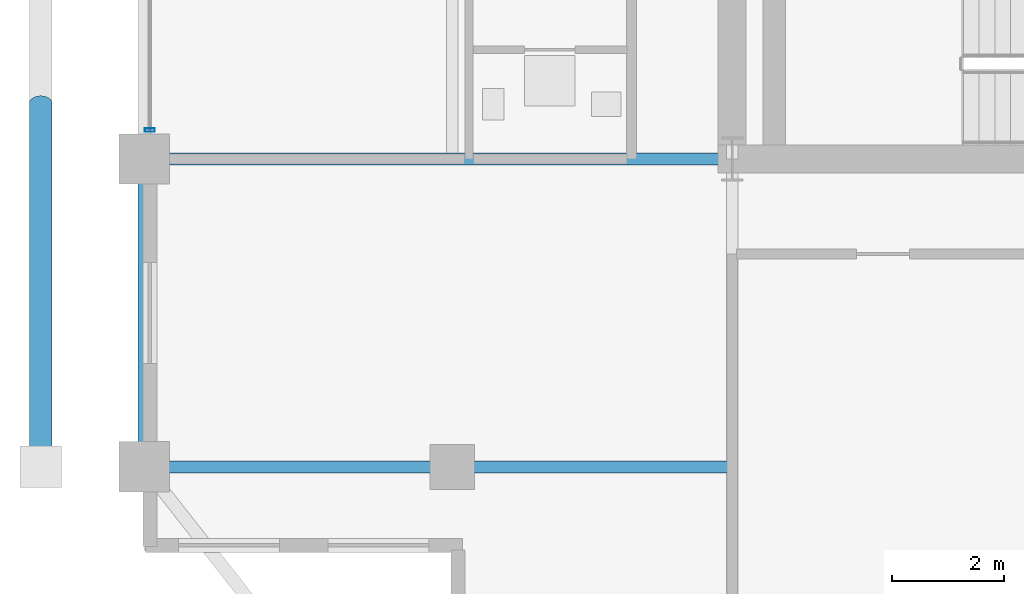
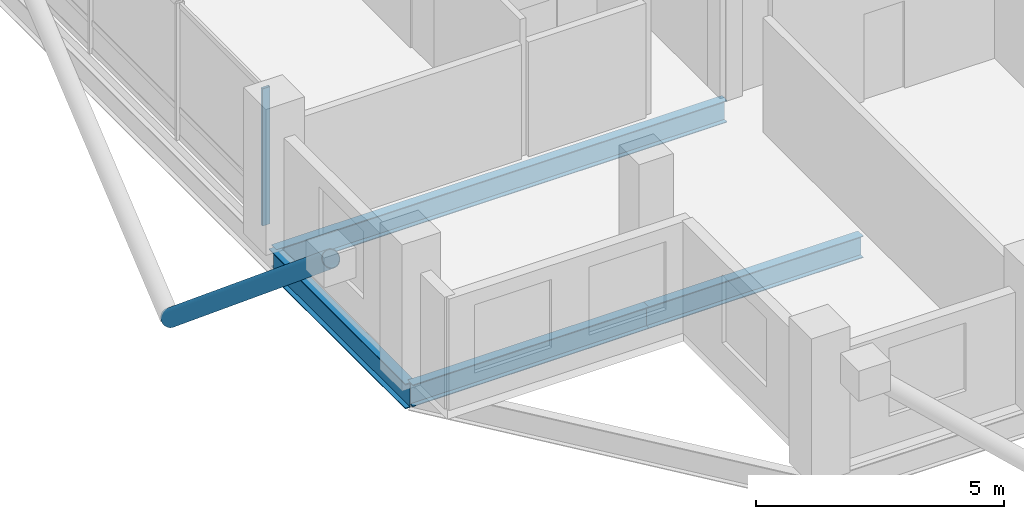
# One storey, part 3 of 23: 4 beams, 2 members, 1 element without a shape of its own.
"""IFC4 building model written with IfcOpenShell, lengths in metres."""

import ifcopenshell
import ifcopenshell.guid

model = None  # the IFC model being written
_history = None  # IfcOwnerHistory: only IFC2X3 demands one
_inside = {}  # id of a spatial element -> (the spatial element, [elements in it])
_under = {}  # id of a project, library or spatial element -> (it, [spatial elements below it])
_declared = {}  # id of a project -> (the project, [libraries it declares])
_typed = {}  # id of a type object -> (the type object, [elements of that type])
_made_of = {}  # id of a material, layer set ... -> (it, [elements and type objects made of it])


def new_model(schema):
    """Start an empty IFC model of exactly this schema.

    Asked for "IFC4X3", IfcOpenShell would pick the latest addendum, in which some entities
    have other attributes; the version numbers below select the first issue.
    IFC2X3 requires an IfcOwnerHistory on every rooted entity: one is made here for all.
    """
    global model, _history
    if schema == "IFC4X3":
        model = ifcopenshell.file(schema_version=(4, 3, 0, 0))
    else:
        model = ifcopenshell.file(schema=schema)
    _inside.clear()
    _under.clear()
    _declared.clear()
    _typed.clear()
    _made_of.clear()
    _history = None
    if model.schema == "IFC2X3":
        org = make("IfcOrganization", Name="unknown")
        user = make(
            "IfcPersonAndOrganization",
            ThePerson=make("IfcPerson", FamilyName="unknown"),
            TheOrganization=org,
        )
        app = make(
            "IfcApplication",
            ApplicationDeveloper=org,
            Version="unknown",
            ApplicationFullName="unknown",
            ApplicationIdentifier="unknown",
        )
        _history = make(
            "IfcOwnerHistory",
            OwningUser=user,
            OwningApplication=app,
            ChangeAction="ADDED",
            CreationDate=0,
        )
    return model


def make(cls, **values):
    """One entity of the class cls with the attributes given. An attribute that is None is left unset."""
    return model.create_entity(
        cls, **{name: value for name, value in values.items() if value is not None}
    )


def rooted(cls, **values):
    """An entity with a GlobalId (a new one), such as an element, a storey or a relation."""
    return make(cls, GlobalId=ifcopenshell.guid.new(), OwnerHistory=_history, **values)


def si_unit(unit_type, name, prefix=None):
    """IfcSIUnit, for example si_unit("LENGTHUNIT", "METRE", prefix="MILLI")."""
    return make("IfcSIUnit", UnitType=unit_type, Prefix=prefix, Name=name)


def assignment(units):
    """IfcUnitAssignment: the units of a project."""
    return None if units is None else make("IfcUnitAssignment", Units=units)


def point(xyz):
    """IfcCartesianPoint."""
    return None if xyz is None else make("IfcCartesianPoint", Coordinates=xyz)


def direction(xyz):
    """IfcDirection."""
    return None if xyz is None else make("IfcDirection", DirectionRatios=xyz)


def frame(location, z_axis=None, x_axis=None):
    """IfcAxis2Placement3D, a coordinate frame: its origin and axes. An axis left out is left unset."""
    return make(
        "IfcAxis2Placement3D",
        Location=point(location),
        Axis=direction(z_axis),
        RefDirection=direction(x_axis),
    )


def frame_2d(location, x_axis=None):
    """IfcAxis2Placement2D, a coordinate frame in the plane: its origin and x axis."""
    return make(
        "IfcAxis2Placement2D", Location=point(location), RefDirection=direction(x_axis)
    )


def origin():
    """The frame at (0, 0, 0) with its axes left unset."""
    return frame((0.0, 0.0, 0.0))


def origin_2d():
    """The frame at (0, 0) in the plane with its x axis left unset."""
    return frame_2d((0.0, 0.0))


def place(relative_to, where):
    """IfcLocalPlacement: puts the frame where relative to a parent placement (None: the world)."""
    return make(
        "IfcLocalPlacement", PlacementRelTo=relative_to, RelativePlacement=where
    )


def context(
    kind, dimensions, precision=None, world=None, true_north=None, identifier=None
):
    """IfcGeometricRepresentationContext, for example the 3D "Model" context."""
    return make(
        "IfcGeometricRepresentationContext",
        ContextIdentifier=identifier,
        ContextType=kind,
        CoordinateSpaceDimension=dimensions,
        Precision=precision,
        WorldCoordinateSystem=world,
        TrueNorth=true_north,
    )


def subcontext(parent, identifier, kind, view, scale=None):
    """IfcGeometricRepresentationSubContext, for example "Body" below "Model"."""
    return make(
        "IfcGeometricRepresentationSubContext",
        ContextIdentifier=identifier,
        ContextType=kind,
        ParentContext=parent,
        TargetScale=scale,
        TargetView=view,
    )


def project(units=None, contexts=None):
    """IfcProject with its units and contexts."""
    return rooted(
        "IfcProject",
        Name="project",
        RepresentationContexts=contexts,
        UnitsInContext=assignment(units),
    )


def spatial(cls, under=None, at=None, **own):
    """A site, building, storey or space (cls), placed at a placement, below another one or the project."""
    s = rooted(cls, ObjectPlacement=at, **own)
    if under is not None:
        _under.setdefault(under.id(), (under, []))[1].append(s)
    return s


def profile(cls, at=None, kind="AREA", **sizes):
    """A parametric profile (cls). Its sizes go by their IFC names, for example OverallWidth=200.0."""
    return make(cls, ProfileType=kind, Position=at, **sizes)


def hollow_rectangle(**sizes):
    """IfcRectangleHollowProfileDef."""
    return profile("IfcRectangleHollowProfileDef", **sizes)


def hollow_circle(**sizes):
    """IfcCircleHollowProfileDef."""
    return profile("IfcCircleHollowProfileDef", **sizes)


def i_section(**sizes):
    """IfcIShapeProfileDef."""
    return profile("IfcIShapeProfileDef", **sizes)


def extrude(swept, where, along, depth):
    """IfcExtrudedAreaSolid: the profile swept, set in the frame where, extruded along a direction by depth."""
    return make(
        "IfcExtrudedAreaSolid",
        SweptArea=swept,
        Position=where,
        ExtrudedDirection=direction(along),
        Depth=depth,
    )


def shape(context_of_items, identifier, shape_type, items):
    """IfcShapeRepresentation: the items that make up one representation, for example the "Body"."""
    return make(
        "IfcShapeRepresentation",
        ContextOfItems=context_of_items,
        RepresentationIdentifier=identifier,
        RepresentationType=shape_type,
        Items=items,
    )


def material(Name=None, Category=None):
    """IfcMaterial."""
    return make("IfcMaterial", Name=Name, Category=Category)


def layer(
    of_material, thickness, ventilated=None, Name=None, Category=None, Priority=None
):
    """IfcMaterialLayer: one layer of a wall or slab, of a material (None: an air gap)."""
    return make(
        "IfcMaterialLayer",
        Material=of_material,
        LayerThickness=thickness,
        IsVentilated=ventilated,
        Name=Name,
        Category=Category,
        Priority=Priority,
    )


def layer_set(layers, Name=None):
    """IfcMaterialLayerSet."""
    return make("IfcMaterialLayerSet", MaterialLayers=layers, LayerSetName=Name)


def material_profile(
    of_material, cross_section, Name=None, Category=None, Priority=None
):
    """IfcMaterialProfile: a cross section and its material."""
    return make(
        "IfcMaterialProfile",
        Name=Name,
        Material=of_material,
        Profile=cross_section,
        Priority=Priority,
        Category=Category,
    )


def profile_set(profiles, Name=None, composite=None):
    """IfcMaterialProfileSet."""
    return make(
        "IfcMaterialProfileSet",
        Name=Name,
        MaterialProfiles=profiles,
        CompositeProfile=composite,
    )


def made_of(thing, what):
    """Note that an element or type object is made of a material, layer set ...; save() writes the relation."""
    if what is not None:
        _made_of.setdefault(what.id(), (what, []))[1].append(thing)
    return thing


def type_object(cls, material=None, **own):
    """A type object (cls), such as IfcWallType, which elements share."""
    return made_of(rooted(cls, **own), material)


def element(
    cls,
    number,
    at=None,
    inside=None,
    cuts=None,
    type_object=None,
    material=None,
    context=None,
    identifier="Body",
    shape_type=None,
    held_by="IfcProductDefinitionShape",
    body=None,
    shapes=None,
    **own,
):
    """One element of the class cls, such as IfcWall. Its Tag is "e" and its number.

    at: its placement. inside: the storey or other place that contains it. cuts: it is an
    opening in that element (IfcRelVoidsElement). A single representation is given by context,
    identifier, shape_type and body (its items); several are given by shapes. held_by: the class
    of the entity that holds the representations. save() writes the other relations.
    """
    e = rooted(cls, Tag="e%d" % number, ObjectPlacement=at, **own)
    if body is not None:
        shapes = [shape(context, identifier, shape_type, body)]
    if shapes is not None:
        e.Representation = make(held_by, Representations=shapes)
    if inside is not None:
        _inside.setdefault(inside.id(), (inside, []))[1].append(e)
    if cuts is not None:
        rooted(
            "IfcRelVoidsElement", RelatingBuildingElement=cuts, RelatedOpeningElement=e
        )
    if type_object is not None:
        _typed.setdefault(type_object.id(), (type_object, []))[1].append(e)
    return made_of(e, material)


def aggregate(whole, parts):
    """IfcRelAggregates: a whole, such as a stair, and the parts it consists of."""
    return rooted("IfcRelAggregates", RelatingObject=whole, RelatedObjects=parts)


def save(model, path):
    """Write the relations noted so far, then the file.

    IfcRelAggregates (storeys below a building ...), IfcRelContainedInSpatialStructure (elements
    in a storey), IfcRelDefinesByType, IfcRelAssociatesMaterial and IfcRelDeclares: one each for
    every whole, place, type object, material and project.
    """
    for whole, parts in _under.values():
        aggregate(whole, parts)
    for where, things in _inside.values():
        rooted(
            "IfcRelContainedInSpatialStructure",
            RelatedElements=things,
            RelatingStructure=where,
        )
    for kind, things in _typed.values():
        rooted("IfcRelDefinesByType", RelatedObjects=things, RelatingType=kind)
    for what, things in _made_of.values():
        rooted("IfcRelAssociatesMaterial", RelatedObjects=things, RelatingMaterial=what)
    for by, libraries in _declared.values():
        rooted("IfcRelDeclares", RelatingContext=by, RelatedDefinitions=libraries)
    model.write(path)


model = new_model("IFC4")

# Units and contexts
model_context = context("Model", 3, precision=1e-05, world=origin(), true_north=direction((0.0, 1.0)))
body_context = subcontext(model_context, "Body", "Model", "MODEL_VIEW")
ifc_project = project(units=[si_unit("LENGTHUNIT", "METRE"), si_unit("AREAUNIT", "SQUARE_METRE"), si_unit("VOLUMEUNIT", "CUBIC_METRE"), si_unit("PLANEANGLEUNIT", "RADIAN"), si_unit("MASSUNIT", "GRAM", prefix="KILO")], contexts=[model_context])

# Site, building, storey
site_placement = place(None, origin())
site = spatial("IfcSite", under=ifc_project, at=site_placement, CompositionType="ELEMENT")
building_placement = place(site_placement, origin())
building = spatial("IfcBuilding", under=site, at=building_placement, Name="Barlavira Tower and Art Museum", CompositionType="ELEMENT")
storey_placement = place(building_placement, frame((0.0, 0.0, 290.699951171875)))
storey = spatial("IfcBuildingStorey", under=building, at=storey_placement, Name="L76", CompositionType="ELEMENT", Elevation=290.699951171875)

# Curtain wall, member
ifc_material_1 = material(Name="Low-iron coastal laminated glass", Category="glass")
ifc_layer = layer(ifc_material_1, 0.2099609375, Name="Low-iron coastal laminated glass")
ifc_layer_set = layer_set([ifc_layer], Name="Low-iron coastal laminated glass")
curtain_wall_type = type_object("IfcCurtainWallType", Name="Pale-Metal Unitised Curtain Wall Zone 4", PredefinedType="NOTDEFINED", material=ifc_layer_set)
curtain_wall_placement = place(storey_placement, origin())
curtain_wall = element("IfcCurtainWall", 1, at=curtain_wall_placement, inside=storey, type_object=curtain_wall_type, Name="L76 Curtain Wall CW4-L76-W-B3", PredefinedType="NOTDEFINED")
ifc_material_2 = material(Name="Pale anodised aluminium", Category="aluminium")
ifc_material_profile_1 = material_profile(ifc_material_2, hollow_rectangle(XDim=0.06494140625, YDim=0.179931640625, WallThickness=0.00390625, at=origin_2d()), Name="ALU-MULL 65x180x4")
ifc_profile_set_1 = profile_set([ifc_material_profile_1], Name="Pale anodised aluminium")
member_type_1 = type_object("IfcMemberType", Name="Curtain Wall Pale-Metal Mullion 65x180", PredefinedType="MULLION", material=ifc_profile_set_1)
member_1_placement = place(storey_placement, frame((-16.89990234375, -6.985107421875, 0.0), z_axis=(0.0, 0.0, 1.0), x_axis=(0.0, -1.0, 0.0)))
member_1 = element("IfcMember", 2, at=member_1_placement, type_object=member_type_1, Name="CW4-L76-W-B3 Mullion 4", PredefinedType="MULLION", context=body_context, shape_type="SweptSolid", body=[
    extrude(hollow_rectangle(XDim=0.06494140625, YDim=0.179931640625, WallThickness=0.00390625, at=origin_2d()), origin(), (0.0, 0.0, 1.0), 3.380126953125),
])
aggregate(curtain_wall, [member_1])

# Member
ifc_material_3 = material(Name="Steel S355", Category="steel")
ifc_material_profile_2 = material_profile(ifc_material_3, hollow_circle(Radius=0.203125, WallThickness=0.01611328125, at=origin_2d()), Name="CHS 406.4x16.0")
ifc_profile_set_2 = profile_set([ifc_material_profile_2], Name="Steel S355")
member_type_2 = type_object("IfcMemberType", Name="Pale-Metal Exoskeleton Diagrid Tube CHS 406x16 Steel S355", PredefinedType="BRACE", material=ifc_profile_set_2)
member_2_placement = place(storey_placement, frame((-18.85009765625, -6.5, -1.919921875), z_axis=(0.0, -0.769196053329, 0.639012857104), x_axis=(1.0, 0.0, 0.0)))
element("IfcMember", 3, at=member_2_placement, inside=storey, type_object=member_type_2, Name="L76 Exoskeleton Diagrid Tube W", PredefinedType="BRACE", context=body_context, shape_type="SweptSolid", body=[
    extrude(hollow_circle(Radius=0.203125, WallThickness=0.01611328125, at=origin_2d()), origin(), (0.0, 0.0, 1.0), 8.450439453125),
])

# Beams
ifc_material_profile_3 = material_profile(ifc_material_3, i_section(OverallWidth=0.22998046875, OverallDepth=0.616943359375, WebThickness=0.01318359375, FlangeThickness=0.022216796875, at=origin_2d()), Name="W610x140.0")
ifc_profile_set_3 = profile_set([ifc_material_profile_3], Name="Steel S355")
beam_type_1 = type_object("IfcBeamType", Name="Upper Shaft Spandrel Edge Beam W610x140 Steel S355", PredefinedType="SPANDREL", material=ifc_profile_set_3)
beam_1_placement = place(storey_placement, frame((-17.0, -13.0, -0.528564453125), z_axis=(0.0, 1.0, 0.0), x_axis=(-1.0, 0.0, 0.0)))
element("IfcBeam", 4, at=beam_1_placement, inside=storey, type_object=beam_type_1, Name="L76 Spandrel 15", PredefinedType="SPANDREL", context=body_context, shape_type="SweptSolid", body=[
    extrude(i_section(OverallWidth=0.22998046875, OverallDepth=0.616943359375, WebThickness=0.01318359375, FlangeThickness=0.022216796875, at=origin_2d()), origin(), (0.0, 0.0, 1.0), 5.5),
])
ifc_material_profile_4 = material_profile(ifc_material_3, i_section(OverallWidth=0.2109375, OverallDepth=0.5390625, WebThickness=0.01171875, FlangeThickness=0.018798828125, at=origin_2d()), Name="W530x109.0")
ifc_profile_set_4 = profile_set([ifc_material_profile_4], Name="Steel S355")
beam_type_2 = type_object("IfcBeamType", Name="Zone 3-4 Primary Floor Girder W530x109 Steel S355", PredefinedType="BEAM", material=ifc_profile_set_4)
beam_2_placement = place(storey_placement, frame((-17.0, -7.5, -0.489501953125), z_axis=(1.0, 0.0, 0.0), x_axis=(0.0, 1.0, 0.0)))
element("IfcBeam", 5, at=beam_2_placement, inside=storey, type_object=beam_type_2, Name="L76 Girder R-W1", PredefinedType="BEAM", context=body_context, shape_type="SweptSolid", body=[
    extrude(i_section(OverallWidth=0.2109375, OverallDepth=0.5390625, WebThickness=0.01171875, FlangeThickness=0.018798828125, at=origin_2d()), origin(), (0.0, 0.0, 1.0), 10.5),
])
beam_3_placement = place(storey_placement, frame((-17.0, -13.0, -0.489501953125), z_axis=(1.0, 0.0, 0.0), x_axis=(0.0, 1.0, 0.0)))
element("IfcBeam", 6, at=beam_3_placement, inside=storey, type_object=beam_type_2, Name="L76 Girder I-S1", PredefinedType="BEAM", context=body_context, shape_type="SweptSolid", body=[
    extrude(i_section(OverallWidth=0.2109375, OverallDepth=0.5390625, WebThickness=0.01171875, FlangeThickness=0.018798828125, at=origin_2d()), origin(), (0.0, 0.0, 1.0), 5.5),
])
beam_4_placement = place(storey_placement, frame((-11.5, -13.0, -0.489501953125), z_axis=(1.0, 0.0, 0.0), x_axis=(0.0, 1.0, 0.0)))
element("IfcBeam", 7, at=beam_4_placement, inside=storey, type_object=beam_type_2, Name="L76 Girder I-S2", PredefinedType="BEAM", context=body_context, shape_type="SweptSolid", body=[
    extrude(i_section(OverallWidth=0.2109375, OverallDepth=0.5390625, WebThickness=0.01171875, FlangeThickness=0.018798828125, at=origin_2d()), origin(), (0.0, 0.0, 1.0), 5.0),
])

save(model, "model.ifc")
